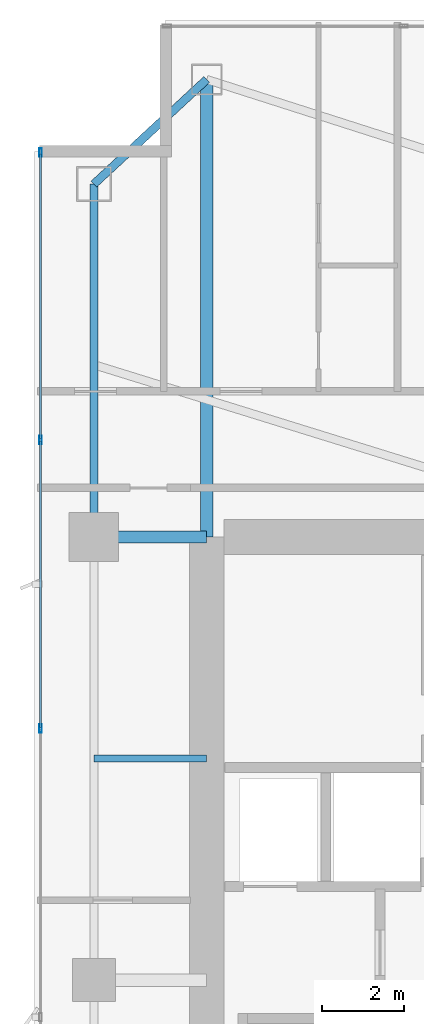
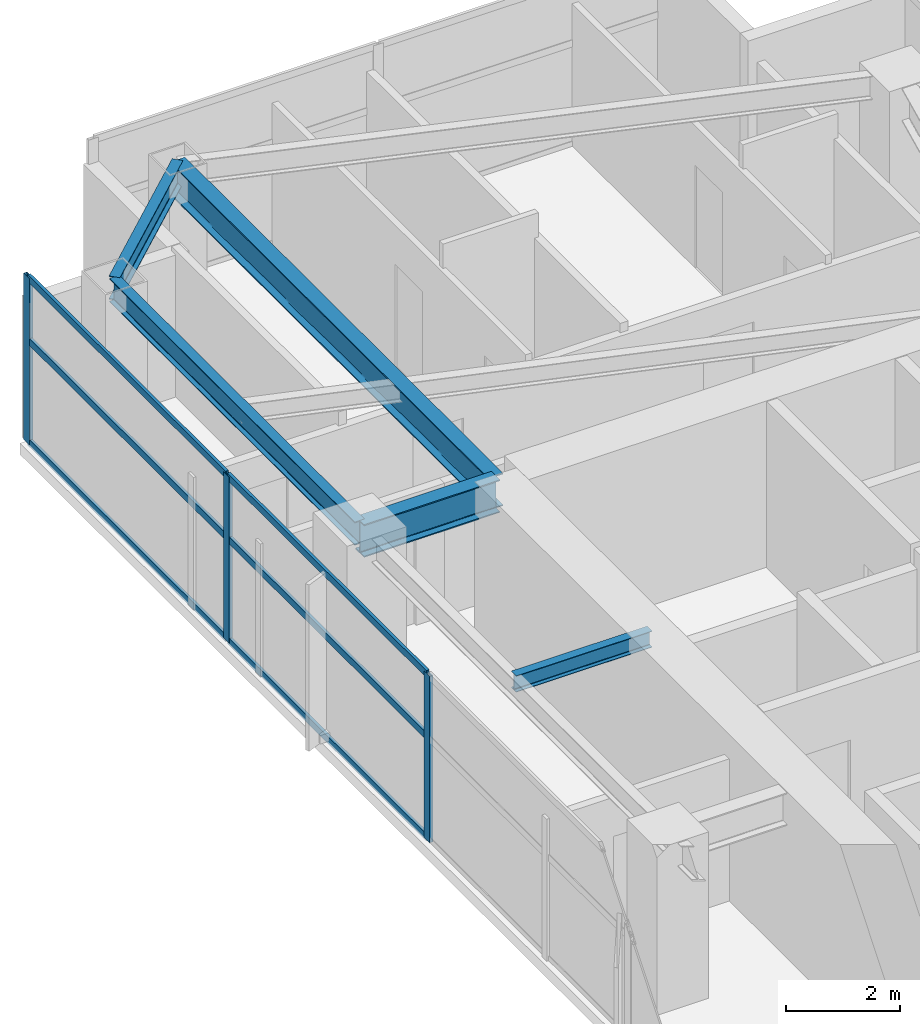
# One storey, part 16 of 28: 9 members, 5 beams, 1 element without a shape of its own.
"""IFC4 building model written with IfcOpenShell, lengths in metres."""

from ifc_helpers import new_model, si_unit, direction, frame, origin, origin_2d, place, context, subcontext, project, spatial, hollow_rectangle, i_section, extrude, material, layer, layer_set, material_profile, profile_set, type_object, element, aggregate, save


model = new_model("IFC4")

# Units and contexts
model_context = context("Model", 3, precision=1e-05, world=origin(), true_north=direction((0.0, 1.0)))
body_context = subcontext(model_context, "Body", "Model", "MODEL_VIEW")
ifc_project = project(units=[si_unit("LENGTHUNIT", "METRE"), si_unit("AREAUNIT", "SQUARE_METRE"), si_unit("VOLUMEUNIT", "CUBIC_METRE"), si_unit("PLANEANGLEUNIT", "RADIAN"), si_unit("MASSUNIT", "GRAM", prefix="KILO")], contexts=[model_context])

# Site, building, storey
site_placement = place(None, origin())
site = spatial("IfcSite", under=ifc_project, at=site_placement, CompositionType="ELEMENT")
building_placement = place(site_placement, origin())
building = spatial("IfcBuilding", under=site, at=building_placement, Name="Calvorn Quay Hotel", CompositionType="ELEMENT")
storey_placement = place(building_placement, frame((0.0, 0.0, 101.199951171875)))
storey = spatial("IfcBuildingStorey", under=building, at=storey_placement, Name="L24", CompositionType="ELEMENT", Elevation=101.199951171875)

# Beams
ifc_material_1 = material(Name="Steel Q390GJC", Category="steel")
ifc_material_profile_1 = material_profile(ifc_material_1, i_section(OverallWidth=0.300048828125, OverallDepth=0.699951171875, WebThickness=0.012939453125, FlangeThickness=0.02392578125, FilletRadius=0.02392578125, at=origin_2d()), Name="HN700x300x13x24")
ifc_profile_set_1 = profile_set([ifc_material_profile_1], Name="Steel Q390GJC")
beam_type_1 = type_object("IfcBeamType", Name="BM-GIRD-MAIN", PredefinedType="BEAM", material=ifc_profile_set_1)
beam_1_placement = place(storey_placement, frame((1.449951171875, 38.39990234375, 3.18994140625), z_axis=(1.0, 0.0, 0.0), x_axis=(0.0, 1.0, 0.0)))
element("IfcBeam", 1, at=beam_1_placement, inside=storey, type_object=beam_type_1, Name="Beam BG-L24-W3", PredefinedType="BEAM", context=body_context, shape_type="SweptSolid", body=[
    extrude(i_section(OverallWidth=0.300048828125, OverallDepth=0.699951171875, WebThickness=0.012939453125, FlangeThickness=0.02392578125, FilletRadius=0.02392578125, at=origin_2d()), origin(), (0.0, 0.0, 1.0), 2.75),
])
beam_2_placement = place(storey_placement, frame((4.199951171875, 49.550048828125, 3.18994140625), z_axis=(0.0, -1.0, 0.0), x_axis=(1.0, 0.0, 0.0)))
element("IfcBeam", 2, at=beam_2_placement, inside=storey, type_object=beam_type_1, Name="Beam BG-L24-W5", PredefinedType="BEAM", context=body_context, shape_type="SweptSolid", body=[
    extrude(i_section(OverallWidth=0.300048828125, OverallDepth=0.699951171875, WebThickness=0.012939453125, FlangeThickness=0.02392578125, FilletRadius=0.02392578125, at=origin_2d()), origin(), (0.0, 0.0, 1.0), 11.150146484375),
])
ifc_material_2 = material(Name="Steel Q355B", Category="steel")
ifc_material_profile_2 = material_profile(ifc_material_2, i_section(OverallWidth=0.175048828125, OverallDepth=0.35009765625, WebThickness=0.007080078125, FlangeThickness=0.010986328125, FilletRadius=0.013916015625, at=origin_2d()), Name="HN350x175x7x11")
ifc_profile_set_2 = profile_set([ifc_material_profile_2], Name="Steel Q355B")
beam_type_2 = type_object("IfcBeamType", Name="BM-JOIST-SEC", PredefinedType="JOIST", material=ifc_profile_set_2)
beam_3_placement = place(storey_placement, frame((1.449951171875, 33.0, 3.364990234375), z_axis=(1.0, 0.0, 0.0), x_axis=(0.0, 1.0, 0.0)))
element("IfcBeam", 3, at=beam_3_placement, inside=storey, type_object=beam_type_2, Name="Beam BJ-L24-W4", PredefinedType="JOIST", context=body_context, shape_type="SweptSolid", body=[
    extrude(i_section(OverallWidth=0.175048828125, OverallDepth=0.35009765625, WebThickness=0.007080078125, FlangeThickness=0.010986328125, FilletRadius=0.013916015625, at=origin_2d()), origin(), (0.0, 0.0, 1.0), 2.75),
])
ifc_material_3 = material(Name="Steel Q355B", Category="steel")
ifc_material_profile_3 = material_profile(ifc_material_3, i_section(OverallWidth=0.199951171875, OverallDepth=0.5, WebThickness=0.010009765625, FlangeThickness=0.01611328125, FilletRadius=0.01611328125, at=origin_2d()), Name="HN500x200x10x16")
ifc_profile_set_3 = profile_set([ifc_material_profile_3], Name="Steel Q355B")
beam_type_3 = type_object("IfcBeamType", Name="BM-SPANDREL-Z1", PredefinedType="SPANDREL", material=ifc_profile_set_3)
beam_4_placement = place(storey_placement, frame((1.449951171875, 38.39990234375, 3.2900390625), z_axis=(0.0, 1.0, 0.0), x_axis=(-1.0, 0.0, 0.0)))
element("IfcBeam", 4, at=beam_4_placement, inside=storey, type_object=beam_type_3, Name="Beam BSP-L24-W4", PredefinedType="SPANDREL", context=body_context, shape_type="SweptSolid", body=[
    extrude(i_section(OverallWidth=0.199951171875, OverallDepth=0.5, WebThickness=0.010009765625, FlangeThickness=0.01611328125, FilletRadius=0.01611328125, at=origin_2d()), origin(), (0.0, 0.0, 1.0), 8.60009765625),
])
beam_5_placement = place(storey_placement, frame((1.449951171875, 47.0, 3.2900390625), z_axis=(0.733261665538, 0.679946563969, 0.0), x_axis=(-0.679946563969, 0.733261665538, 0.0)))
element("IfcBeam", 5, at=beam_5_placement, inside=storey, type_object=beam_type_3, Name="Beam BSP-L24-W5", PredefinedType="SPANDREL", context=body_context, shape_type="SweptSolid", body=[
    extrude(i_section(OverallWidth=0.199951171875, OverallDepth=0.5, WebThickness=0.010009765625, FlangeThickness=0.01611328125, FilletRadius=0.01611328125, at=origin_2d()), origin(), (0.0, 0.0, 1.0), 3.75048828125),
])

# Curtain wall, members
ifc_material_4 = material(Name="Pale Anodised Aluminium and Low-E Glass", Category="aluminium")
ifc_layer = layer(ifc_material_4, 0.219970703125)
ifc_layer_set = layer_set([ifc_layer], Name="CW-SYS-Z2")
curtain_wall_type = type_object("IfcCurtainWallType", Name="CW-SYS-Z2", PredefinedType="NOTDEFINED", material=ifc_layer_set)
curtain_wall_placement = place(storey_placement, origin())
curtain_wall = element("IfcCurtainWall", 6, at=curtain_wall_placement, inside=storey, type_object=curtain_wall_type, Name="Tower West Curtain Wall (L24)", PredefinedType="NOTDEFINED")
ifc_material_5 = material(Name="Pale Anodised Aluminium 6063-T6", Category="aluminium")
ifc_material_profile_4 = material_profile(ifc_material_5, hollow_rectangle(XDim=0.070068359375, YDim=0.199951171875, WallThickness=0.00390625, at=origin_2d()), Name="ALU-M200x70x4")
ifc_profile_set_4 = profile_set([ifc_material_profile_4], Name="Pale Anodised Aluminium 6063-T6")
member_type_1 = type_object("IfcMemberType", Name="CW-SYS-Z2-MUL", PredefinedType="MULLION", material=ifc_profile_set_4)
member_1_placement = place(storey_placement, frame((0.14990234375, 33.7333984375, 0.0), z_axis=(0.0, 0.0, 1.0), x_axis=(-1.0, 0.0, 0.0)))
member_1 = element("IfcMember", 7, at=member_1_placement, type_object=member_type_1, Name="CW-L24-W mullion 5", PredefinedType="MULLION", context=body_context, shape_type="SweptSolid", body=[
    extrude(hollow_rectangle(XDim=0.070068359375, YDim=0.199951171875, WallThickness=0.00390625, at=origin_2d()), origin(), (0.0, 0.0, 1.0), 3.56005859375),
])
member_2_placement = place(storey_placement, frame((0.14990234375, 40.7666015625, 0.0), z_axis=(0.0, 0.0, 1.0), x_axis=(-1.0, 0.0, 0.0)))
member_2 = element("IfcMember", 8, at=member_2_placement, type_object=member_type_1, Name="CW-L24-W mullion 6", PredefinedType="MULLION", context=body_context, shape_type="SweptSolid", body=[
    extrude(hollow_rectangle(XDim=0.070068359375, YDim=0.199951171875, WallThickness=0.00390625, at=origin_2d()), origin(), (0.0, 0.0, 1.0), 3.56005859375),
])
member_3_placement = place(storey_placement, frame((0.14990234375, 47.77001953125, 0.0), z_axis=(0.0, 0.0, 1.0), x_axis=(-1.0, 0.0, 0.0)))
member_3 = element("IfcMember", 9, at=member_3_placement, type_object=member_type_1, Name="CW-L24-W mullion 7", PredefinedType="MULLION", context=body_context, shape_type="SweptSolid", body=[
    extrude(hollow_rectangle(XDim=0.070068359375, YDim=0.199951171875, WallThickness=0.00390625, at=origin_2d()), origin(), (0.0, 0.0, 1.0), 3.56005859375),
])
ifc_material_6 = material(Name="Pale Anodised Aluminium 6063-T6", Category="aluminium")
ifc_material_profile_5 = material_profile(ifc_material_6, hollow_rectangle(XDim=0.06005859375, YDim=0.14990234375, WallThickness=0.00341796875, at=origin_2d()), Name="ALU-T150x60x3.5")
ifc_profile_set_5 = profile_set([ifc_material_profile_5], Name="Pale Anodised Aluminium 6063-T6")
member_type_2 = type_object("IfcMemberType", Name="CW-SYS-Z2-TRN", PredefinedType="USERDEFINED", material=ifc_profile_set_5)
member_4_placement = place(storey_placement, frame((0.14990234375, 33.763427734375, 0.030029296875), z_axis=(0.0, 1.0, 0.0), x_axis=(-1.0, 0.0, 0.0)))
member_4 = element("IfcMember", 10, at=member_4_placement, type_object=member_type_2, Name="CW-L24-W transom 5.1", ObjectType="TRANSOM", PredefinedType="USERDEFINED", context=body_context, shape_type="SweptSolid", body=[
    extrude(hollow_rectangle(XDim=0.06005859375, YDim=0.14990234375, WallThickness=0.00341796875, at=origin_2d()), origin(), (0.0, 0.0, 1.0), 6.97314453125),
])
member_5_placement = place(storey_placement, frame((0.14990234375, 33.763427734375, 2.199951171875), z_axis=(0.0, 1.0, 0.0), x_axis=(-1.0, 0.0, 0.0)))
member_5 = element("IfcMember", 11, at=member_5_placement, type_object=member_type_2, Name="CW-L24-W transom 5.2", ObjectType="TRANSOM", PredefinedType="USERDEFINED", context=body_context, shape_type="SweptSolid", body=[
    extrude(hollow_rectangle(XDim=0.06005859375, YDim=0.14990234375, WallThickness=0.00341796875, at=origin_2d()), origin(), (0.0, 0.0, 1.0), 6.97314453125),
])
member_6_placement = place(storey_placement, frame((0.14990234375, 33.763427734375, 3.530029296875), z_axis=(0.0, 1.0, 0.0), x_axis=(-1.0, 0.0, 0.0)))
member_6 = element("IfcMember", 12, at=member_6_placement, type_object=member_type_2, Name="CW-L24-W transom 5.3", ObjectType="TRANSOM", PredefinedType="USERDEFINED", context=body_context, shape_type="SweptSolid", body=[
    extrude(hollow_rectangle(XDim=0.06005859375, YDim=0.14990234375, WallThickness=0.00341796875, at=origin_2d()), origin(), (0.0, 0.0, 1.0), 6.97314453125),
])
member_7_placement = place(storey_placement, frame((0.14990234375, 40.796630859375, 0.030029296875), z_axis=(0.0, 1.0, 0.0), x_axis=(-1.0, 0.0, 0.0)))
member_7 = element("IfcMember", 13, at=member_7_placement, type_object=member_type_2, Name="CW-L24-W transom 6.1", ObjectType="TRANSOM", PredefinedType="USERDEFINED", context=body_context, shape_type="SweptSolid", body=[
    extrude(hollow_rectangle(XDim=0.06005859375, YDim=0.14990234375, WallThickness=0.00341796875, at=origin_2d()), origin(), (0.0, 0.0, 1.0), 6.943359375),
])
member_8_placement = place(storey_placement, frame((0.14990234375, 40.796630859375, 2.199951171875), z_axis=(0.0, 1.0, 0.0), x_axis=(-1.0, 0.0, 0.0)))
member_8 = element("IfcMember", 14, at=member_8_placement, type_object=member_type_2, Name="CW-L24-W transom 6.2", ObjectType="TRANSOM", PredefinedType="USERDEFINED", context=body_context, shape_type="SweptSolid", body=[
    extrude(hollow_rectangle(XDim=0.06005859375, YDim=0.14990234375, WallThickness=0.00341796875, at=origin_2d()), origin(), (0.0, 0.0, 1.0), 6.943359375),
])
member_9_placement = place(storey_placement, frame((0.14990234375, 40.796630859375, 3.530029296875), z_axis=(0.0, 1.0, 0.0), x_axis=(-1.0, 0.0, 0.0)))
member_9 = element("IfcMember", 15, at=member_9_placement, type_object=member_type_2, Name="CW-L24-W transom 6.3", ObjectType="TRANSOM", PredefinedType="USERDEFINED", context=body_context, shape_type="SweptSolid", body=[
    extrude(hollow_rectangle(XDim=0.06005859375, YDim=0.14990234375, WallThickness=0.00341796875, at=origin_2d()), origin(), (0.0, 0.0, 1.0), 6.943359375),
])
aggregate(curtain_wall, [member_1, member_2, member_3, member_4, member_5, member_6, member_7, member_8, member_9])

save(model, "model.ifc")
